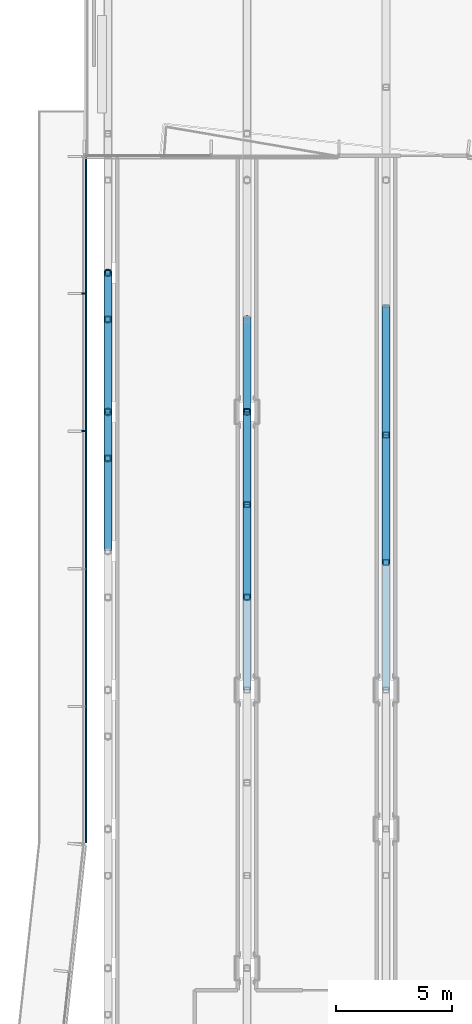
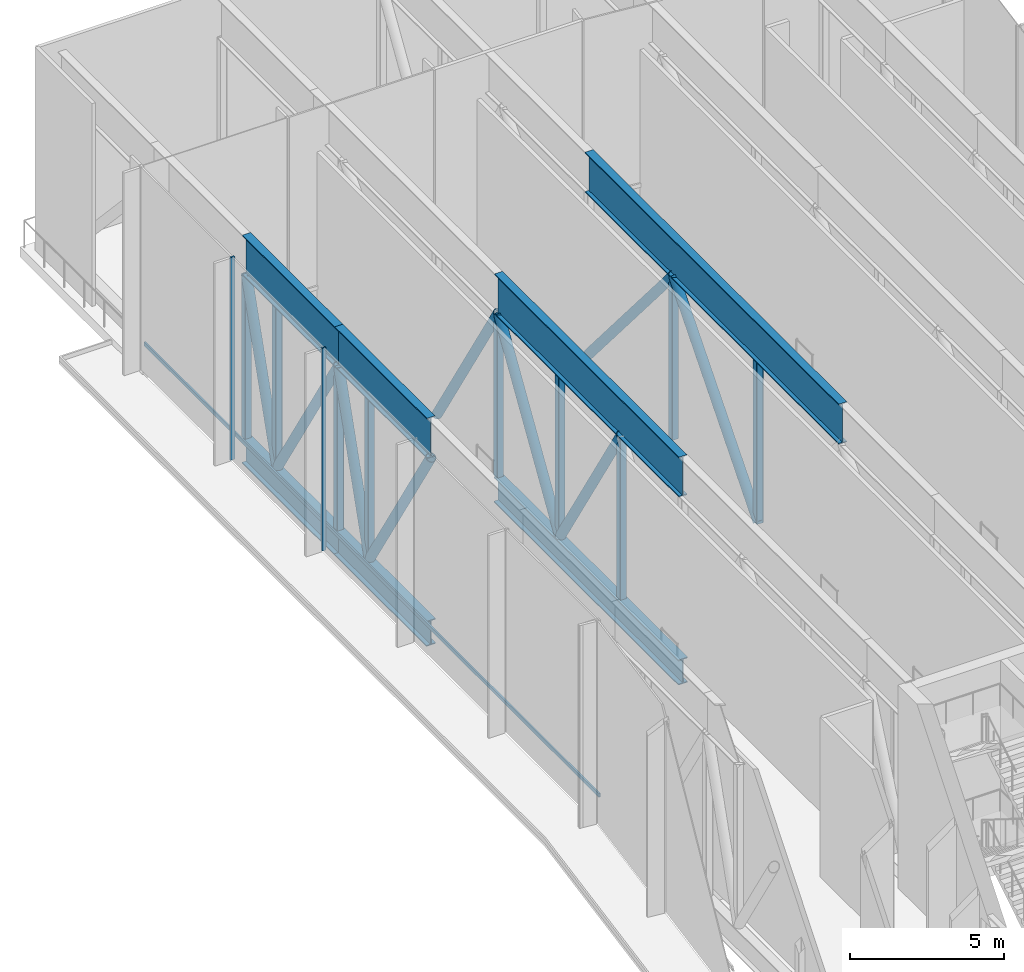
# One storey, part 6 of 21: 28 members, 1 element without a shape of its own.
"""IFC4 building model written with IfcOpenShell, lengths in metres."""

import ifcopenshell
import ifcopenshell.guid

model = None  # the IFC model being written
_history = None  # IfcOwnerHistory: only IFC2X3 demands one
_inside = {}  # id of a spatial element -> (the spatial element, [elements in it])
_under = {}  # id of a project, library or spatial element -> (it, [spatial elements below it])
_declared = {}  # id of a project -> (the project, [libraries it declares])
_typed = {}  # id of a type object -> (the type object, [elements of that type])
_made_of = {}  # id of a material, layer set ... -> (it, [elements and type objects made of it])


def new_model(schema):
    """Start an empty IFC model of exactly this schema.

    Asked for "IFC4X3", IfcOpenShell would pick the latest addendum, in which some entities
    have other attributes; the version numbers below select the first issue.
    IFC2X3 requires an IfcOwnerHistory on every rooted entity: one is made here for all.
    """
    global model, _history
    if schema == "IFC4X3":
        model = ifcopenshell.file(schema_version=(4, 3, 0, 0))
    else:
        model = ifcopenshell.file(schema=schema)
    _inside.clear()
    _under.clear()
    _declared.clear()
    _typed.clear()
    _made_of.clear()
    _history = None
    if model.schema == "IFC2X3":
        org = make("IfcOrganization", Name="unknown")
        user = make(
            "IfcPersonAndOrganization",
            ThePerson=make("IfcPerson", FamilyName="unknown"),
            TheOrganization=org,
        )
        app = make(
            "IfcApplication",
            ApplicationDeveloper=org,
            Version="unknown",
            ApplicationFullName="unknown",
            ApplicationIdentifier="unknown",
        )
        _history = make(
            "IfcOwnerHistory",
            OwningUser=user,
            OwningApplication=app,
            ChangeAction="ADDED",
            CreationDate=0,
        )
    return model


def make(cls, **values):
    """One entity of the class cls with the attributes given. An attribute that is None is left unset."""
    return model.create_entity(
        cls, **{name: value for name, value in values.items() if value is not None}
    )


def rooted(cls, **values):
    """An entity with a GlobalId (a new one), such as an element, a storey or a relation."""
    return make(cls, GlobalId=ifcopenshell.guid.new(), OwnerHistory=_history, **values)


def si_unit(unit_type, name, prefix=None):
    """IfcSIUnit, for example si_unit("LENGTHUNIT", "METRE", prefix="MILLI")."""
    return make("IfcSIUnit", UnitType=unit_type, Prefix=prefix, Name=name)


def assignment(units):
    """IfcUnitAssignment: the units of a project."""
    return None if units is None else make("IfcUnitAssignment", Units=units)


def point(xyz):
    """IfcCartesianPoint."""
    return None if xyz is None else make("IfcCartesianPoint", Coordinates=xyz)


def direction(xyz):
    """IfcDirection."""
    return None if xyz is None else make("IfcDirection", DirectionRatios=xyz)


def frame(location, z_axis=None, x_axis=None):
    """IfcAxis2Placement3D, a coordinate frame: its origin and axes. An axis left out is left unset."""
    return make(
        "IfcAxis2Placement3D",
        Location=point(location),
        Axis=direction(z_axis),
        RefDirection=direction(x_axis),
    )


def frame_2d(location, x_axis=None):
    """IfcAxis2Placement2D, a coordinate frame in the plane: its origin and x axis."""
    return make(
        "IfcAxis2Placement2D", Location=point(location), RefDirection=direction(x_axis)
    )


def origin():
    """The frame at (0, 0, 0) with its axes left unset."""
    return frame((0.0, 0.0, 0.0))


def origin_2d():
    """The frame at (0, 0) in the plane with its x axis left unset."""
    return frame_2d((0.0, 0.0))


def place(relative_to, where):
    """IfcLocalPlacement: puts the frame where relative to a parent placement (None: the world)."""
    return make(
        "IfcLocalPlacement", PlacementRelTo=relative_to, RelativePlacement=where
    )


def context(
    kind, dimensions, precision=None, world=None, true_north=None, identifier=None
):
    """IfcGeometricRepresentationContext, for example the 3D "Model" context."""
    return make(
        "IfcGeometricRepresentationContext",
        ContextIdentifier=identifier,
        ContextType=kind,
        CoordinateSpaceDimension=dimensions,
        Precision=precision,
        WorldCoordinateSystem=world,
        TrueNorth=true_north,
    )


def subcontext(parent, identifier, kind, view, scale=None):
    """IfcGeometricRepresentationSubContext, for example "Body" below "Model"."""
    return make(
        "IfcGeometricRepresentationSubContext",
        ContextIdentifier=identifier,
        ContextType=kind,
        ParentContext=parent,
        TargetScale=scale,
        TargetView=view,
    )


def project(units=None, contexts=None):
    """IfcProject with its units and contexts."""
    return rooted(
        "IfcProject",
        Name="project",
        RepresentationContexts=contexts,
        UnitsInContext=assignment(units),
    )


def spatial(cls, under=None, at=None, **own):
    """A site, building, storey or space (cls), placed at a placement, below another one or the project."""
    s = rooted(cls, ObjectPlacement=at, **own)
    if under is not None:
        _under.setdefault(under.id(), (under, []))[1].append(s)
    return s


def profile(cls, at=None, kind="AREA", **sizes):
    """A parametric profile (cls). Its sizes go by their IFC names, for example OverallWidth=200.0."""
    return make(cls, ProfileType=kind, Position=at, **sizes)


def rectangle(**sizes):
    """IfcRectangleProfileDef."""
    return profile("IfcRectangleProfileDef", **sizes)


def hollow_rectangle(**sizes):
    """IfcRectangleHollowProfileDef."""
    return profile("IfcRectangleHollowProfileDef", **sizes)


def hollow_circle(**sizes):
    """IfcCircleHollowProfileDef."""
    return profile("IfcCircleHollowProfileDef", **sizes)


def i_section(**sizes):
    """IfcIShapeProfileDef."""
    return profile("IfcIShapeProfileDef", **sizes)


def extrude(swept, where, along, depth):
    """IfcExtrudedAreaSolid: the profile swept, set in the frame where, extruded along a direction by depth."""
    return make(
        "IfcExtrudedAreaSolid",
        SweptArea=swept,
        Position=where,
        ExtrudedDirection=direction(along),
        Depth=depth,
    )


def shape(context_of_items, identifier, shape_type, items):
    """IfcShapeRepresentation: the items that make up one representation, for example the "Body"."""
    return make(
        "IfcShapeRepresentation",
        ContextOfItems=context_of_items,
        RepresentationIdentifier=identifier,
        RepresentationType=shape_type,
        Items=items,
    )


def material(Name=None, Category=None):
    """IfcMaterial."""
    return make("IfcMaterial", Name=Name, Category=Category)


def layer(
    of_material, thickness, ventilated=None, Name=None, Category=None, Priority=None
):
    """IfcMaterialLayer: one layer of a wall or slab, of a material (None: an air gap)."""
    return make(
        "IfcMaterialLayer",
        Material=of_material,
        LayerThickness=thickness,
        IsVentilated=ventilated,
        Name=Name,
        Category=Category,
        Priority=Priority,
    )


def layer_set(layers, Name=None):
    """IfcMaterialLayerSet."""
    return make("IfcMaterialLayerSet", MaterialLayers=layers, LayerSetName=Name)


def material_profile(
    of_material, cross_section, Name=None, Category=None, Priority=None
):
    """IfcMaterialProfile: a cross section and its material."""
    return make(
        "IfcMaterialProfile",
        Name=Name,
        Material=of_material,
        Profile=cross_section,
        Priority=Priority,
        Category=Category,
    )


def profile_set(profiles, Name=None, composite=None):
    """IfcMaterialProfileSet."""
    return make(
        "IfcMaterialProfileSet",
        Name=Name,
        MaterialProfiles=profiles,
        CompositeProfile=composite,
    )


def made_of(thing, what):
    """Note that an element or type object is made of a material, layer set ...; save() writes the relation."""
    if what is not None:
        _made_of.setdefault(what.id(), (what, []))[1].append(thing)
    return thing


def type_object(cls, material=None, **own):
    """A type object (cls), such as IfcWallType, which elements share."""
    return made_of(rooted(cls, **own), material)


def element(
    cls,
    number,
    at=None,
    inside=None,
    cuts=None,
    type_object=None,
    material=None,
    context=None,
    identifier="Body",
    shape_type=None,
    held_by="IfcProductDefinitionShape",
    body=None,
    shapes=None,
    **own,
):
    """One element of the class cls, such as IfcWall. Its Tag is "e" and its number.

    at: its placement. inside: the storey or other place that contains it. cuts: it is an
    opening in that element (IfcRelVoidsElement). A single representation is given by context,
    identifier, shape_type and body (its items); several are given by shapes. held_by: the class
    of the entity that holds the representations. save() writes the other relations.
    """
    e = rooted(cls, Tag="e%d" % number, ObjectPlacement=at, **own)
    if body is not None:
        shapes = [shape(context, identifier, shape_type, body)]
    if shapes is not None:
        e.Representation = make(held_by, Representations=shapes)
    if inside is not None:
        _inside.setdefault(inside.id(), (inside, []))[1].append(e)
    if cuts is not None:
        rooted(
            "IfcRelVoidsElement", RelatingBuildingElement=cuts, RelatedOpeningElement=e
        )
    if type_object is not None:
        _typed.setdefault(type_object.id(), (type_object, []))[1].append(e)
    return made_of(e, material)


def aggregate(whole, parts):
    """IfcRelAggregates: a whole, such as a stair, and the parts it consists of."""
    return rooted("IfcRelAggregates", RelatingObject=whole, RelatedObjects=parts)


def save(model, path):
    """Write the relations noted so far, then the file.

    IfcRelAggregates (storeys below a building ...), IfcRelContainedInSpatialStructure (elements
    in a storey), IfcRelDefinesByType, IfcRelAssociatesMaterial and IfcRelDeclares: one each for
    every whole, place, type object, material and project.
    """
    for whole, parts in _under.values():
        aggregate(whole, parts)
    for where, things in _inside.values():
        rooted(
            "IfcRelContainedInSpatialStructure",
            RelatedElements=things,
            RelatingStructure=where,
        )
    for kind, things in _typed.values():
        rooted("IfcRelDefinesByType", RelatedObjects=things, RelatingType=kind)
    for what, things in _made_of.values():
        rooted("IfcRelAssociatesMaterial", RelatedObjects=things, RelatingMaterial=what)
    for by, libraries in _declared.values():
        rooted("IfcRelDeclares", RelatingContext=by, RelatedDefinitions=libraries)
    model.write(path)


model = new_model("IFC4")

# Units and contexts
model_context = context("Model", 3, precision=1e-05, world=origin(), true_north=direction((0.0, 1.0)))
body_context = subcontext(model_context, "Body", "Model", "MODEL_VIEW")
ifc_project = project(units=[si_unit("LENGTHUNIT", "METRE"), si_unit("AREAUNIT", "SQUARE_METRE"), si_unit("VOLUMEUNIT", "CUBIC_METRE"), si_unit("PLANEANGLEUNIT", "RADIAN"), si_unit("MASSUNIT", "GRAM", prefix="KILO")], contexts=[model_context])

# Site, building, storey
site_placement = place(None, origin())
site = spatial("IfcSite", under=ifc_project, at=site_placement, CompositionType="ELEMENT")
building_placement = place(site_placement, origin())
building = spatial("IfcBuilding", under=site, at=building_placement, Name="Welwitschia Terrace Campus", CompositionType="ELEMENT")
storey_placement = place(building_placement, frame((0.0, 0.0, 255.800048828125)))
storey = spatial("IfcBuildingStorey", under=building, at=storey_placement, Name="L57", CompositionType="ELEMENT", Elevation=255.800048828125)

# Curtain wall, members
ifc_material_1 = material(Name="Bronze anodised aluminium", Category="aluminium")
ifc_layer = layer(ifc_material_1, 0.159912109375)
ifc_layer_set = layer_set([ifc_layer], Name="Bronze anodised aluminium")
curtain_wall_type = type_object("IfcCurtainWallType", Name="Curtain wall CW3 commons 6000", PredefinedType="NOTDEFINED", material=ifc_layer_set)
curtain_wall_placement = place(storey_placement, origin())
curtain_wall = element("IfcCurtainWall", 1, at=curtain_wall_placement, inside=storey, type_object=curtain_wall_type, Name="CW L57.7.0", PredefinedType="NOTDEFINED")
ifc_material_2 = material(Name="Bronze anodised aluminium", Category="aluminium")
ifc_material_profile_1 = material_profile(ifc_material_2, rectangle(XDim=0.159912109375, YDim=0.06005859375, at=origin_2d()))
ifc_profile_set_1 = profile_set([ifc_material_profile_1], Name="Bronze anodised aluminium")
member_type_1 = type_object("IfcMemberType", Name="Mullion 60x160", PredefinedType="MULLION", material=ifc_profile_set_1)
member_1_placement = place(storey_placement, frame((-1.050048828125, 57.109130859375, 0.0), z_axis=(0.0, 0.0, 1.0), x_axis=(1.0, 0.0, 0.0)))
member_1 = element("IfcMember", 2, at=member_1_placement, type_object=member_type_1, Name="Mullion L57.7.0.1", PredefinedType="MULLION", context=body_context, shape_type="SweptSolid", body=[
    extrude(rectangle(XDim=0.159912109375, YDim=0.06005859375, at=origin_2d()), origin(), (0.0, 0.0, 1.0), 8.050048828125),
])
member_2_placement = place(storey_placement, frame((-1.050048828125, 51.16845703125, 0.0), z_axis=(0.0, 0.0, 1.0), x_axis=(1.0, 0.0, 0.0)))
member_2 = element("IfcMember", 3, at=member_2_placement, type_object=member_type_1, Name="Mullion L57.7.0.2", PredefinedType="MULLION", context=body_context, shape_type="SweptSolid", body=[
    extrude(rectangle(XDim=0.159912109375, YDim=0.06005859375, at=origin_2d()), origin(), (0.0, 0.0, 1.0), 8.050048828125),
])

# Members
ifc_material_3 = material(Name="Steel S355", Category="steel")
ifc_material_profile_2 = material_profile(ifc_material_3, i_section(OverallWidth=0.35009765625, OverallDepth=1.0, WebThickness=0.02490234375, FlangeThickness=0.0400390625, at=origin_2d()))
ifc_profile_set_2 = profile_set([ifc_material_profile_2], Name="Steel S355")
member_type_2 = type_object("IfcMemberType", Name="Transfer truss C4 bottom chord WI 1000x350x25x40", PredefinedType="CHORD", material=ifc_profile_set_2)
for number, where, z_axis, x_axis, name in (
    (4, (0.0, 46.0, -0.5), (0.0, 1.0, 0.0), (-1.0, 0.0, 0.0), "Truss bottom chord"),
    (5, (0.0, 52.0, -0.5), (0.0, 1.0, 0.0), (-1.0, 0.0, 0.0), "Truss bottom chord"),
):
    element("IfcMember", number, at=place(storey_placement, frame(where, z_axis=z_axis, x_axis=x_axis)), inside=storey, type_object=member_type_2, Name=name, PredefinedType="CHORD", context=body_context, shape_type="SweptSolid", body=[
        extrude(i_section(OverallWidth=0.35009765625, OverallDepth=1.0, WebThickness=0.02490234375, FlangeThickness=0.0400390625, at=origin_2d()), origin(), (0.0, 0.0, 1.0), 6.0),
    ])
member_3_placement = place(storey_placement, frame((6.0, 40.0, -0.5), z_axis=(0.0, 1.0, 0.0), x_axis=(-1.0, 0.0, 0.0)))
element("IfcMember", 6, at=member_3_placement, inside=storey, type_object=member_type_2, Name="Truss bottom chord", PredefinedType="CHORD", context=body_context, shape_type="SweptSolid", body=[
    extrude(i_section(OverallWidth=0.35009765625, OverallDepth=1.0, WebThickness=0.02490234375, FlangeThickness=0.0400390625, at=origin_2d()), origin(), (0.0, 0.0, 1.0), 12.0),
])
ifc_material_4 = material(Name="Steel S355", Category="steel")
ifc_material_profile_3 = material_profile(ifc_material_4, hollow_circle(Radius=0.177734375, WallThickness=0.01611328125, at=origin_2d()))
ifc_profile_set_3 = profile_set([ifc_material_profile_3], Name="Steel S355")
member_type_3 = type_object("IfcMemberType", Name="Transfer truss C4 diagonal CHS 355.6x16", PredefinedType="BRACE", material=ifc_profile_set_3)
member_4_placement = place(storey_placement, frame((0.0, 50.0, 0.0), z_axis=(0.0, -0.527037721004, 0.849841891553), x_axis=(1.0, 0.0, 0.0)))
element("IfcMember", 7, at=member_4_placement, inside=storey, type_object=member_type_3, Name="Truss diagonal", PredefinedType="BRACE", context=body_context, shape_type="SweptSolid", body=[
    extrude(hollow_circle(Radius=0.177734375, WallThickness=0.01611328125, at=origin_2d()), origin(), (0.0, 0.0, 1.0), 7.589599609375),
])
member_5_placement = place(storey_placement, frame((0.0, 50.0, 0.0), z_axis=(0.0, 0.296168365803, 0.955135749042), x_axis=(-1.0, 0.0, 0.0)))
element("IfcMember", 8, at=member_5_placement, inside=storey, type_object=member_type_3, Name="Truss diagonal", PredefinedType="BRACE", context=body_context, shape_type="SweptSolid", body=[
    extrude(hollow_circle(Radius=0.177734375, WallThickness=0.01611328125, at=origin_2d()), origin(), (0.0, 0.0, 1.0), 6.7529296875),
])
member_6_placement = place(storey_placement, frame((0.0, 56.0, 0.0), z_axis=(0.0, -0.527037721004, 0.849841891553), x_axis=(1.0, 0.0, 0.0)))
element("IfcMember", 9, at=member_6_placement, inside=storey, type_object=member_type_3, Name="Truss diagonal", PredefinedType="BRACE", context=body_context, shape_type="SweptSolid", body=[
    extrude(hollow_circle(Radius=0.177734375, WallThickness=0.01611328125, at=origin_2d()), origin(), (0.0, 0.0, 1.0), 7.589599609375),
])
member_7_placement = place(storey_placement, frame((0.0, 56.0, 0.0), z_axis=(0.0, 0.296168365803, 0.955135749042), x_axis=(-1.0, 0.0, 0.0)))
element("IfcMember", 10, at=member_7_placement, inside=storey, type_object=member_type_3, Name="Truss diagonal", PredefinedType="BRACE", context=body_context, shape_type="SweptSolid", body=[
    extrude(hollow_circle(Radius=0.177734375, WallThickness=0.01611328125, at=origin_2d()), origin(), (0.0, 0.0, 1.0), 6.7529296875),
])
for number, where, z_axis, x_axis, name in (
    (11, (6.0, 48.0, 0.0), (0.0, -0.527037721004, 0.849841891553), (1.0, 0.0, 0.0), "Truss diagonal"),
    (12, (6.0, 48.0, 0.0), (0.0, 0.527037721004, 0.849841891553), (-1.0, 0.0, 0.0), "Truss diagonal"),
    (13, (6.0, 56.0, 0.0), (0.0, -0.527037721004, 0.849841891553), (1.0, 0.0, 0.0), "Truss diagonal"),
):
    element("IfcMember", number, at=place(storey_placement, frame(where, z_axis=z_axis, x_axis=x_axis)), inside=storey, type_object=member_type_3, Name=name, PredefinedType="BRACE", context=body_context, shape_type="SweptSolid", body=[
        extrude(hollow_circle(Radius=0.177734375, WallThickness=0.01611328125, at=origin_2d()), origin(), (0.0, 0.0, 1.0), 7.589599609375),
    ])
for number, where, z_axis, x_axis, name in (
    (14, (12.0, 45.5, 0.0), (0.0, 0.648849017571, 0.760917178409), (-1.0, 0.0, 0.0), "Truss diagonal"),
    (15, (12.0, 56.5, 0.0), (0.0, -0.648849017571, 0.760917178409), (1.0, 0.0, 0.0), "Truss diagonal"),
):
    element("IfcMember", number, at=place(storey_placement, frame(where, z_axis=z_axis, x_axis=x_axis)), inside=storey, type_object=member_type_3, Name=name, PredefinedType="BRACE", context=body_context, shape_type="SweptSolid", body=[
        extrude(hollow_circle(Radius=0.177734375, WallThickness=0.01611328125, at=origin_2d()), origin(), (0.0, 0.0, 1.0), 8.4765625),
    ])
ifc_material_5 = material(Name="Steel S355", Category="steel")
ifc_material_profile_4 = material_profile(ifc_material_5, hollow_rectangle(XDim=0.25, YDim=0.25, WallThickness=0.013916015625, InnerFilletRadius=0.013916015625, OuterFilletRadius=0.02099609375, at=origin_2d()))
ifc_profile_set_4 = profile_set([ifc_material_profile_4], Name="Steel S355")
member_type_4 = type_object("IfcMemberType", Name="Transfer truss C4 post SHS 250x250x14", PredefinedType="POST", material=ifc_profile_set_4)
for number, where, z_axis, x_axis, name in (
    (16, (0.0, 50.0, 0.0), (0.0, 0.0, 1.0), (1.0, 0.0, 0.0), "Truss post"),
    (17, (0.0, 52.0, 0.0), (0.0, 0.0, 1.0), (1.0, 0.0, 0.0), "Truss post"),
    (18, (0.0, 56.0, 0.0), (0.0, 0.0, 1.0), (1.0, 0.0, 0.0), "Truss post"),
    (19, (0.0, 58.0, 0.0), (0.0, 0.0, 1.0), (1.0, 0.0, 0.0), "Truss post"),
    (20, (6.0, 44.0, 0.0), (0.0, 0.0, 1.0), (1.0, 0.0, 0.0), "Truss post"),
    (21, (6.0, 48.0, 0.0), (0.0, 0.0, 1.0), (1.0, 0.0, 0.0), "Truss post"),
    (22, (6.0, 52.0, 0.0), (0.0, 0.0, 1.0), (1.0, 0.0, 0.0), "Truss post"),
    (23, (12.0, 45.5, 0.0), (0.0, 0.0, 1.0), (1.0, 0.0, 0.0), "Truss post"),
    (24, (12.0, 51.0, 0.0), (0.0, 0.0, 1.0), (1.0, 0.0, 0.0), "Truss post"),
):
    element("IfcMember", number, at=place(storey_placement, frame(where, z_axis=z_axis, x_axis=x_axis)), inside=storey, type_object=member_type_4, Name=name, PredefinedType="POST", context=body_context, shape_type="SweptSolid", body=[
        extrude(hollow_rectangle(XDim=0.25, YDim=0.25, WallThickness=0.013916015625, InnerFilletRadius=0.013916015625, OuterFilletRadius=0.02099609375, at=origin_2d()), origin(), (0.0, 0.0, 1.0), 6.449951171875),
    ])
ifc_material_6 = material(Name="Steel S355", Category="steel")
ifc_material_profile_5 = material_profile(ifc_material_6, i_section(OverallWidth=0.300048828125, OverallDepth=1.60009765625, WebThickness=0.02490234375, FlangeThickness=0.0400390625, at=origin_2d()))
ifc_profile_set_5 = profile_set([ifc_material_profile_5], Name="Steel S355")
member_type_5 = type_object("IfcMemberType", Name="Transfer truss C4 top chord WI 1600x300x25x40", PredefinedType="CHORD", material=ifc_profile_set_5)
for number, where, z_axis, x_axis, name in (
    (25, (0.0, 46.0, 7.25), (0.0, 1.0, 0.0), (-1.0, 0.0, 0.0), "Truss top chord"),
    (26, (0.0, 52.0, 7.25), (0.0, 1.0, 0.0), (-1.0, 0.0, 0.0), "Truss top chord"),
):
    element("IfcMember", number, at=place(storey_placement, frame(where, z_axis=z_axis, x_axis=x_axis)), inside=storey, type_object=member_type_5, Name=name, PredefinedType="CHORD", context=body_context, shape_type="SweptSolid", body=[
        extrude(i_section(OverallWidth=0.300048828125, OverallDepth=1.60009765625, WebThickness=0.02490234375, FlangeThickness=0.0400390625, at=origin_2d()), origin(), (0.0, 0.0, 1.0), 6.0),
    ])
member_8_placement = place(storey_placement, frame((6.0, 40.0, 7.25), z_axis=(0.0, 1.0, 0.0), x_axis=(-1.0, 0.0, 0.0)))
element("IfcMember", 27, at=member_8_placement, inside=storey, type_object=member_type_5, Name="Truss top chord", PredefinedType="CHORD", context=body_context, shape_type="SweptSolid", body=[
    extrude(i_section(OverallWidth=0.300048828125, OverallDepth=1.60009765625, WebThickness=0.02490234375, FlangeThickness=0.0400390625, at=origin_2d()), origin(), (0.0, 0.0, 1.0), 12.0),
])
member_9_placement = place(storey_placement, frame((12.0, 40.0, 7.25), z_axis=(0.0, 1.0, 0.0), x_axis=(-1.0, 0.0, 0.0)))
element("IfcMember", 28, at=member_9_placement, inside=storey, type_object=member_type_5, Name="Truss top chord", PredefinedType="CHORD", context=body_context, shape_type="SweptSolid", body=[
    extrude(i_section(OverallWidth=0.300048828125, OverallDepth=1.60009765625, WebThickness=0.02490234375, FlangeThickness=0.0400390625, at=origin_2d()), origin(), (0.0, 0.0, 1.0), 16.5),
])

# Member
ifc_material_7 = material(Name="Bronze anodised aluminium", Category="aluminium")
ifc_material_profile_6 = material_profile(ifc_material_7, rectangle(XDim=0.06005859375, YDim=0.14990234375, at=origin_2d()))
ifc_profile_set_6 = profile_set([ifc_material_profile_6], Name="Bronze anodised aluminium")
member_type_6 = type_object("IfcMemberType", Name="Transom 60x150", PredefinedType="USERDEFINED", material=ifc_profile_set_6)
member_10_placement = place(storey_placement, frame((-0.93994140625, 62.989990234375, 1.0), z_axis=(0.0, -1.0, 0.0), x_axis=(1.0, 0.0, 0.0)))
member_10 = element("IfcMember", 29, at=member_10_placement, type_object=member_type_6, Name="Transom L57.7.0", ObjectType="TRANSOM", PredefinedType="USERDEFINED", context=body_context, shape_type="SweptSolid", body=[
    extrude(rectangle(XDim=0.06005859375, YDim=0.14990234375, at=origin_2d()), origin(), (0.0, 0.0, 1.0), 29.583984375),
])

aggregate(curtain_wall, [member_1, member_2, member_10])

save(model, "model.ifc")
